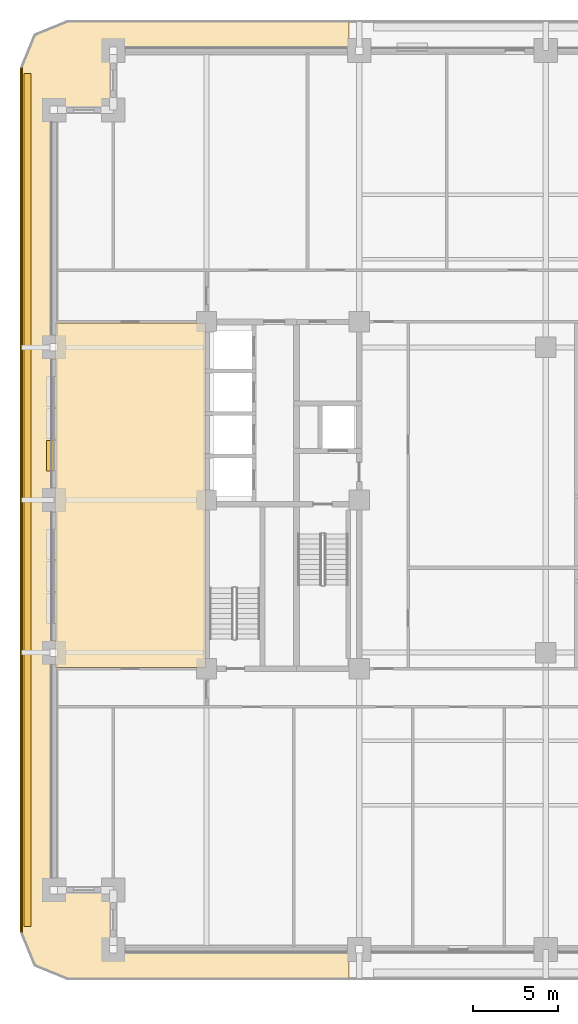
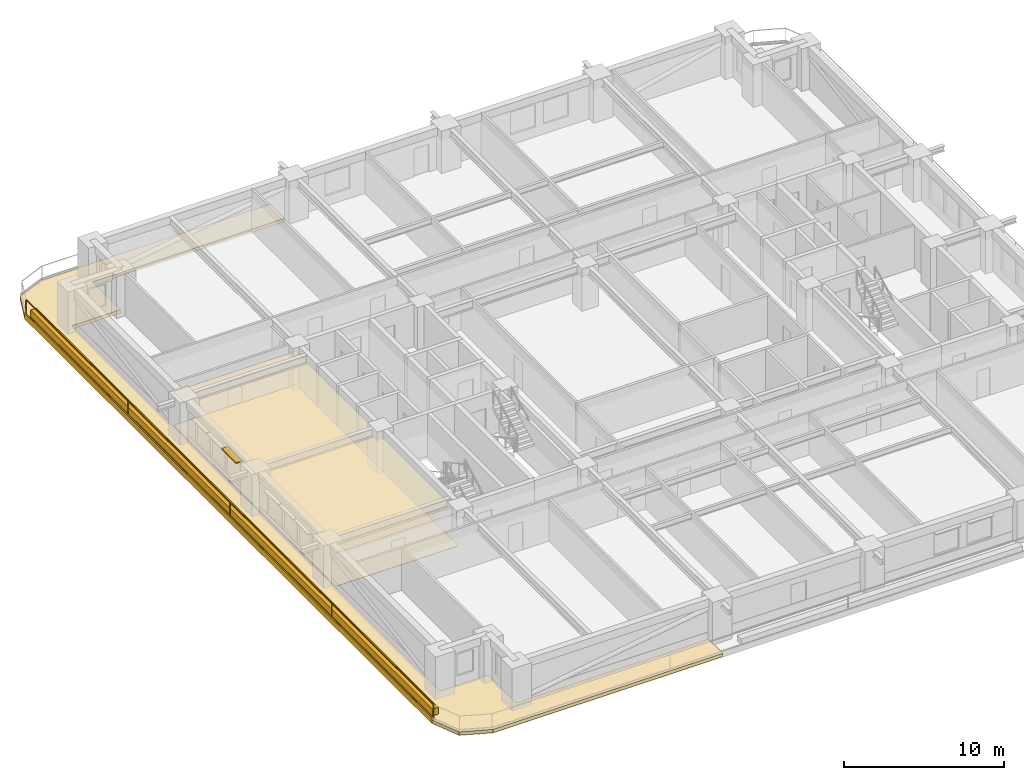
# One storey, part 10 of 16: 5 coverings, 1 railing, 1 shading device.
"""IFC4 building model written with IfcOpenShell, lengths in metres."""

from ifc_helpers import new_model, si_unit, direction, frame, frame_2d, origin, origin_2d, place, context, subcontext, project, spatial, polyline, rectangle, outline, extrude, material, layer, layer_set, type_object, element, save


model = new_model("IFC4")

# Units and contexts
model_context = context("Model", 3, precision=1e-05, world=origin(), true_north=direction((0.0, 1.0)))
body_context = subcontext(model_context, "Body", "Model", "MODEL_VIEW")
ifc_project = project(units=[si_unit("LENGTHUNIT", "METRE"), si_unit("AREAUNIT", "SQUARE_METRE"), si_unit("VOLUMEUNIT", "CUBIC_METRE"), si_unit("PLANEANGLEUNIT", "RADIAN"), si_unit("MASSUNIT", "GRAM", prefix="KILO")], contexts=[model_context])

# Site, building, storey
site_placement = place(None, origin())
site = spatial("IfcSite", under=ifc_project, at=site_placement, CompositionType="ELEMENT")
building_placement = place(site_placement, origin())
building = spatial("IfcBuilding", under=site, at=building_placement, Name="Zulmaris Gate Convention Tower", CompositionType="ELEMENT")
storey_placement = place(building_placement, frame((0.0, 0.0, 67.89990234375)))
storey = spatial("IfcBuildingStorey", under=building, at=storey_placement, Name="L16", CompositionType="ELEMENT", Elevation=67.89990234375)

# Coverings
ifc_material_1 = material(Name="White Glazed Architectural Precast Concrete C40/50", Category="concrete")
ifc_layer_1 = layer(ifc_material_1, 0.239990234375, Name="White Glazed Architectural Precast Concrete C40/50")
ifc_layer_set_1 = layer_set([ifc_layer_1], Name="White Glazed Architectural Precast Concrete C40/50")
covering_type_1 = type_object("IfcCoveringType", Name="CLAD-TRAY-DECK", PredefinedType="CLADDING", material=ifc_layer_set_1)
covering_1_placement = place(storey_placement, frame((0.0, 0.0, -0.25)))
element("IfcCovering", 1, at=covering_1_placement, inside=storey, type_object=covering_type_1, Name="L16 West Rounded-Fascia Planter Tray Deck", PredefinedType="CLADDING", context=body_context, shape_type="SweptSolid", body=[
    extrude(outline(polyline([(-31.0, 25.5), (-30.179931640625, 27.47998046875), (-28.199951171875, 28.300048828125), (-11.60205078125, 28.300048828125), (-11.60205078125, 26.5), (-25.5, 26.5), (-25.5, 23.0), (-29.0, 23.0), (-29.0, -23.0), (-25.5, -23.0), (-25.5, -26.5), (-11.60205078125, -26.5), (-11.60205078125, -28.300048828125), (-28.199951171875, -28.300048828125), (-30.179931640625, -27.47998046875), (-31.0, -25.5), (-31.0, 25.5)])), origin(), (0.0, 0.0, 1.0), 0.260009765625),
])
ifc_layer_2 = layer(ifc_material_1, 0.080078125, Name="White Glazed Architectural Precast Concrete C40/50")
ifc_layer_set_2 = layer_set([ifc_layer_2], Name="White Glazed Architectural Precast Concrete C40/50")
covering_type_2 = type_object("IfcCoveringType", Name="CLAD-TRAY-FASCIA", PredefinedType="CLADDING", material=ifc_layer_set_2)
covering_2_placement = place(storey_placement, frame((-30.9599609375, 25.5, -0.2900390625), z_axis=(0.0, 0.0, 1.0), x_axis=(0.0, -1.0, 0.0)))
element("IfcCovering", 2, at=covering_2_placement, inside=storey, type_object=covering_type_2, Name="FSC-L16-TR-11", PredefinedType="CLADDING", context=body_context, shape_type="SweptSolid", body=[
    extrude(rectangle(XDim=51.0, YDim=0.080078125, at=frame_2d((25.5, 0.0))), origin(), (0.0, 0.0, 1.0), 0.4599609375),
])
ifc_material_2 = material(Name="Mineral Fibre Acoustic Ceiling Tile")
ifc_layer_3 = layer(ifc_material_2, 0.02001953125, Name="Mineral Fibre Acoustic Ceiling Tile")
ifc_layer_set_3 = layer_set([ifc_layer_3], Name="Mineral Fibre Acoustic Ceiling Tile")
covering_type_3 = type_object("IfcCoveringType", Name="CLG-ACOUSTIC-600", PredefinedType="CEILING", material=ifc_layer_set_3)
covering_3_placement = place(storey_placement, frame((0.0, 0.0, 2.552978515625)))
element("IfcCovering", 3, at=covering_3_placement, inside=storey, type_object=covering_type_3, Name="CLG-L16-R54", PredefinedType="CEILING", context=body_context, shape_type="SweptSolid", body=[
    extrude(outline(polyline([(-28.93994140625, -9.889892578125), (-20.06005859375, -9.889892578125), (-20.06005859375, 10.43994140625), (-28.93994140625, 10.43994140625), (-28.93994140625, -9.889892578125)])), origin(), (0.0, 0.0, 1.0), 0.02001953125),
])
ifc_material_3 = material(Name="Woven Acoustic Wool Carpet Tile")
ifc_layer_4 = layer(ifc_material_3, 0.02001953125, Name="Woven Acoustic Wool Carpet Tile")
ifc_layer_set_4 = layer_set([ifc_layer_4], Name="Woven Acoustic Wool Carpet Tile")
covering_type_4 = type_object("IfcCoveringType", Name="FLR-CARPET-12", PredefinedType="FLOORING", material=ifc_layer_set_4)
covering_4_placement = place(storey_placement, origin())
element("IfcCovering", 4, at=covering_4_placement, inside=storey, type_object=covering_type_4, Name="FLR-L16-R54", PredefinedType="FLOORING", context=body_context, shape_type="SweptSolid", body=[
    extrude(outline(polyline([(-28.93994140625, -9.889892578125), (-20.06005859375, -9.889892578125), (-20.06005859375, 10.43994140625), (-28.93994140625, 10.43994140625), (-28.93994140625, -9.889892578125)])), origin(), (0.0, 0.0, 1.0), 0.02001953125),
])
ifc_material_4 = material(Name="Botanical Green Glazed Precast Concrete C40/50", Category="concrete")
ifc_layer_5 = layer(ifc_material_4, 0.419921875, Name="Botanical Green Glazed Precast Concrete C40/50")
ifc_layer_set_5 = layer_set([ifc_layer_5], Name="Botanical Green Glazed Precast Concrete C40/50")
covering_type_5 = type_object("IfcCoveringType", Name="PLANTER-BOX-200", PredefinedType="CLADDING", material=ifc_layer_set_5)
covering_5_placement = place(storey_placement, frame((0.0, 0.0, 0.010009765625)))
element("IfcCovering", 5, at=covering_5_placement, inside=storey, type_object=covering_type_5, Name="L16 W Full-Length Balcony Tree Planter Trough", PredefinedType="CLADDING", context=body_context, shape_type="SweptSolid", body=[
    extrude(outline(polyline([(-30.760009765625, -25.14990234375), (-30.340087890625, -25.14990234375), (-30.340087890625, 25.14990234375), (-30.760009765625, 25.14990234375), (-30.760009765625, -25.14990234375)])), origin(), (0.0, 0.0, 1.0), 0.52001953125),
])

# Railing
ifc_material_5 = material(Name="Laminated Glass and Stainless Steel", Category="steel")
railing_type = type_object("IfcRailingType", Name="RL-BALC-1150", PredefinedType="BALUSTRADE", material=ifc_material_5)
railing_placement = place(storey_placement, frame((-30.8798828125, 25.5, 0.010009765625)))
element("IfcRailing", 6, at=railing_placement, inside=storey, type_object=railing_type, Name="RL-L16-BALC-W", PredefinedType="BALUSTRADE", context=body_context, shape_type="SweptSolid", body=[
    extrude(rectangle(XDim=0.048095703125, YDim=0.048095703125, at=origin_2d()), frame((0.0, 0.0, 1.1259765625), z_axis=(0.0, -1.0, 0.0), x_axis=(1.0, 0.0, 0.0)), (0.0, 0.0, 1.0), 51.0),
    extrude(rectangle(XDim=0.048095703125, YDim=0.048095703125, at=origin_2d()), frame((0.0, 0.0, 0.02392578125), z_axis=(0.0, -1.0, 0.0), x_axis=(1.0, 0.0, 0.0)), (0.0, 0.0, 1.0), 51.0),
    extrude(rectangle(XDim=0.0419921875, YDim=0.0419921875, at=origin_2d()), origin(), (0.0, 0.0, 1.0), 1.101806640625),
    extrude(rectangle(XDim=0.0419921875, YDim=0.0419921875, at=origin_2d()), frame((0.0, -12.75, 0.0)), (0.0, 0.0, 1.0), 1.101806640625),
    extrude(rectangle(XDim=0.0419921875, YDim=0.0419921875, at=origin_2d()), frame((0.0, -25.5, 0.0)), (0.0, 0.0, 1.0), 1.101806640625),
    extrude(rectangle(XDim=0.0419921875, YDim=0.0419921875, at=origin_2d()), frame((0.0, -38.25, 0.0)), (0.0, 0.0, 1.0), 1.101806640625),
    extrude(rectangle(XDim=0.0419921875, YDim=0.0419921875, at=origin_2d()), frame((0.0, -51.0, 0.0)), (0.0, 0.0, 1.0), 1.101806640625),
])

# Shading device
ifc_material_6 = material(Name="Glazed Ceramic Terracotta", Category="masonry")
ifc_layer_6 = layer(ifc_material_6, 0.070068359375, Name="Glazed Ceramic Terracotta")
ifc_layer_set_6 = layer_set([ifc_layer_6], Name="Glazed Ceramic Terracotta")
shading_device_type = type_object("IfcShadingDeviceType", Name="SHD-SUNSHADE-TC", PredefinedType="AWNING", material=ifc_layer_set_6)
shading_device_placement = place(storey_placement, frame((-29.219970703125, 3.514892578125, 2.530029296875), z_axis=(0.0, 0.0, 1.0), x_axis=(0.0, -1.0, 0.0)))
element("IfcShadingDevice", 7, at=shading_device_placement, inside=storey, type_object=shading_device_type, Name="SHD-EW-L16-W-2_0-3", PredefinedType="AWNING", context=body_context, shape_type="SweptSolid", body=[
    extrude(rectangle(XDim=1.7998046875, YDim=0.43994140625, at=frame_2d((0.89990234375, 0.0))), origin(), (0.0, 0.0, 1.0), 0.070068359375),
])

save(model, "model.ifc")
